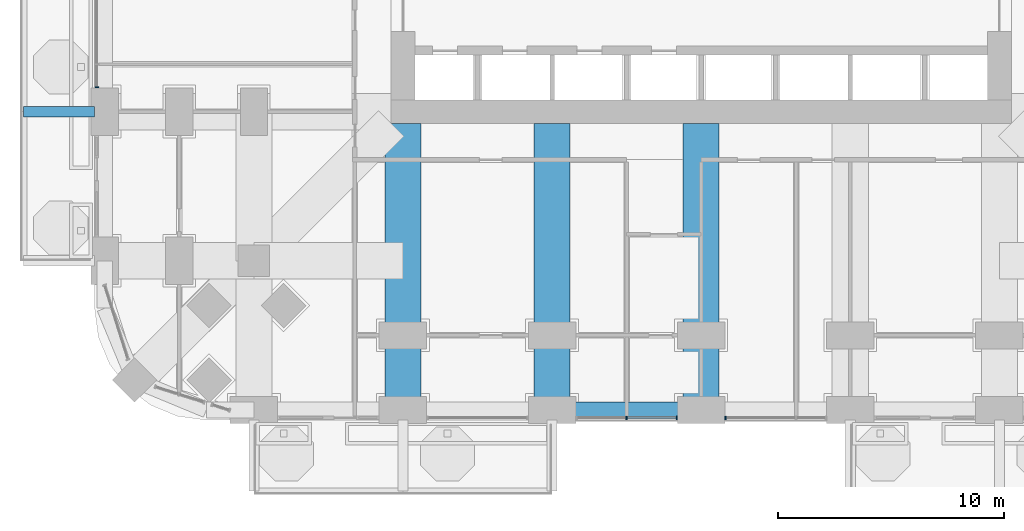
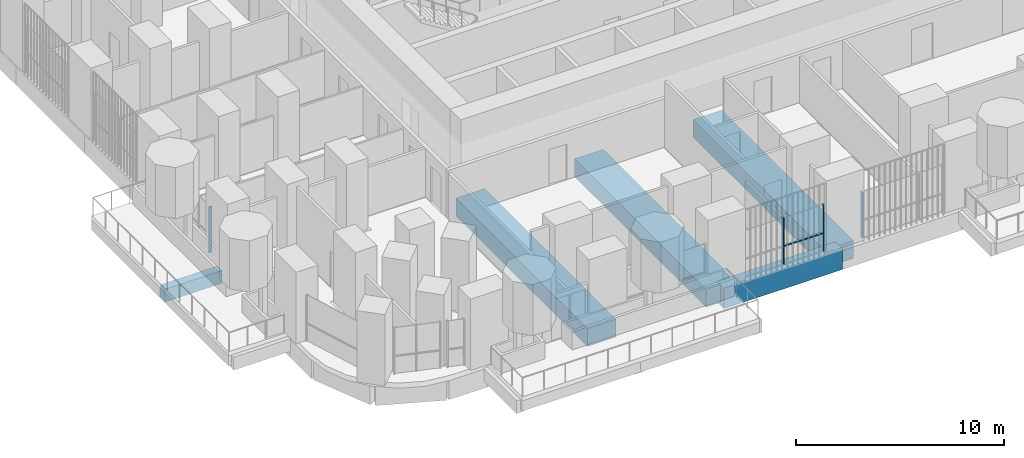
# One storey, part 3 of 27: 5 beams, 5 members, 3 elements without a shape of their own.
"""IFC4 building model written with IfcOpenShell, lengths in metres."""

from ifc_helpers import new_model, si_unit, direction, frame, origin, origin_2d, place, context, subcontext, project, spatial, rectangle, extrude, material, material_profile, profile_set, type_object, element, aggregate, save


model = new_model("IFC4")

# Units and contexts
model_context = context("Model", 3, precision=1e-05, world=origin(), true_north=direction((0.0, 1.0)))
body_context = subcontext(model_context, "Body", "Model", "MODEL_VIEW")
ifc_project = project(units=[si_unit("LENGTHUNIT", "METRE"), si_unit("AREAUNIT", "SQUARE_METRE"), si_unit("VOLUMEUNIT", "CUBIC_METRE"), si_unit("PLANEANGLEUNIT", "RADIAN"), si_unit("MASSUNIT", "GRAM", prefix="KILO")], contexts=[model_context])

# Site, building, storey
site_placement = place(None, origin())
site = spatial("IfcSite", under=ifc_project, at=site_placement, CompositionType="ELEMENT")
building_placement = place(site_placement, origin())
building = spatial("IfcBuilding", under=site, at=building_placement, Name="Cobogo Forest Laboratory Tower", CompositionType="ELEMENT")
storey_placement = place(building_placement, frame((0.0, 0.0, 54.89990234375)))
storey = spatial("IfcBuildingStorey", under=building, at=storey_placement, Name="L12", CompositionType="ELEMENT", Elevation=54.89990234375)

# Beams
ifc_material_1 = material(Name="Concrete HA-40 (C40/50)", Category="concrete")
ifc_material_profile_1 = material_profile(ifc_material_1, rectangle(XDim=0.449951171875, YDim=0.75, at=origin_2d()), Name="RC 450x750")
ifc_profile_set_1 = profile_set([ifc_material_profile_1], Name="Concrete HA-40 (C40/50)")
beam_type_1 = type_object("IfcBeamType", Name="Balcony cantilever beam 450x750", PredefinedType="BEAM", material=ifc_profile_set_1)
beam_1_placement = place(storey_placement, frame((-0.449951171875, 13.199951171875, -0.625), z_axis=(-1.0, 0.0, 0.0), x_axis=(0.0, -1.0, 0.0)))
element("IfcBeam", 1, at=beam_1_placement, inside=storey, type_object=beam_type_1, Name="CB1 BAL-W1-C2 L12", PredefinedType="BEAM", context=body_context, shape_type="SweptSolid", body=[
    extrude(rectangle(XDim=0.449951171875, YDim=0.75, at=origin_2d()), origin(), (0.0, 0.0, 1.0), 3.150146484375),
])
ifc_material_2 = material(Name="Concrete HA-50 (C50/60)", Category="concrete")
ifc_material_profile_2 = material_profile(ifc_material_2, rectangle(XDim=1.60009765625, YDim=1.050048828125, at=origin_2d()), Name="RC 1600x1050")
ifc_profile_set_2 = profile_set([ifc_material_profile_2], Name="Concrete HA-50 (C50/60)")
beam_type_2 = type_object("IfcBeamType", Name="Laboratory floor wide beam 1600x1050", PredefinedType="BEAM", material=ifc_profile_set_2)
for number, where, z_axis, x_axis, name in (
    (2, (13.199951171875, 12.675048828125, -0.824951171875), (0.0, -1.0, 0.0), (1.0, 0.0, 0.0), "RB8 R-3-S L12"),
    (3, (19.800048828125, 12.675048828125, -0.824951171875), (0.0, -1.0, 0.0), (1.0, 0.0, 0.0), "RB8 R-4-S L12"),
    (4, (26.39990234375, 12.675048828125, -0.824951171875), (0.0, -1.0, 0.0), (1.0, 0.0, 0.0), "RB8 R-5-S L12"),
):
    element("IfcBeam", number, at=place(storey_placement, frame(where, z_axis=z_axis, x_axis=x_axis)), inside=storey, type_object=beam_type_2, Name=name, PredefinedType="BEAM", context=body_context, shape_type="SweptSolid", body=[
        extrude(rectangle(XDim=1.60009765625, YDim=1.050048828125, at=origin_2d()), origin(), (0.0, 0.0, 1.0), 12.675048828125),
    ])

# Curtain wall, members
ifc_material_3 = material(Name="Aluminium curtain wall", Category="aluminium")
curtain_wall_type = type_object("IfcCurtainWallType", Name="CW-1 unitised curtain wall, clear glazing, laboratory floors zones A and B", PredefinedType="USERDEFINED", material=ifc_material_3)
curtain_wall_1_placement = place(storey_placement, origin())
curtain_wall_1 = element("IfcCurtainWall", 5, at=curtain_wall_1_placement, inside=storey, type_object=curtain_wall_type, Name="Curtain wall 03 L12", ObjectType="UNITISED CURTAIN WALL", PredefinedType="USERDEFINED")
ifc_material_4 = material(Name="Aluminium mullion", Category="aluminium")
ifc_material_profile_3 = material_profile(ifc_material_4, rectangle(XDim=0.06005859375, YDim=0.159912109375, at=origin_2d()), Name="AL 60x160")
ifc_profile_set_3 = profile_set([ifc_material_profile_3], Name="Aluminium mullion")
member_type_1 = type_object("IfcMemberType", Name="MU-1 aluminium mullion 60x160", PredefinedType="MULLION", material=ifc_profile_set_3)
member_1_placement = place(storey_placement, frame((23.10009765625, -0.35009765625, 0.0), z_axis=(0.0, 0.0, 1.0), x_axis=(1.0, 0.0, 0.0)))
member_1 = element("IfcMember", 6, at=member_1_placement, type_object=member_type_1, Name="CW-1 mullion 2", PredefinedType="MULLION", context=body_context, shape_type="SweptSolid", body=[
    extrude(rectangle(XDim=0.06005859375, YDim=0.159912109375, at=origin_2d()), origin(), (0.0, 0.0, 1.0), 2.7001953125),
])
member_2_placement = place(storey_placement, frame((25.320068359375, -0.35009765625, 0.0), z_axis=(0.0, 0.0, 1.0), x_axis=(1.0, 0.0, 0.0)))
member_2 = element("IfcMember", 7, at=member_2_placement, type_object=member_type_1, Name="CW-1 mullion 3", PredefinedType="MULLION", context=body_context, shape_type="SweptSolid", body=[
    extrude(rectangle(XDim=0.06005859375, YDim=0.159912109375, at=origin_2d()), origin(), (0.0, 0.0, 1.0), 2.7001953125),
])

# Curtain wall, member
curtain_wall_2_placement = place(storey_placement, origin())
curtain_wall_2 = element("IfcCurtainWall", 8, at=curtain_wall_2_placement, inside=storey, type_object=curtain_wall_type, Name="Curtain wall 04 L12", ObjectType="UNITISED CURTAIN WALL", PredefinedType="USERDEFINED")
member_3_placement = place(storey_placement, frame((27.47998046875, -0.35009765625, 0.0), z_axis=(0.0, 0.0, 1.0), x_axis=(1.0, 0.0, 0.0)))
member_3 = element("IfcMember", 9, at=member_3_placement, type_object=member_type_1, Name="CW-1 mullion 1", PredefinedType="MULLION", context=body_context, shape_type="SweptSolid", body=[
    extrude(rectangle(XDim=0.06005859375, YDim=0.159912109375, at=origin_2d()), origin(), (0.0, 0.0, 1.0), 2.7001953125),
])
aggregate(curtain_wall_2, [member_3])

curtain_wall_3_placement = place(storey_placement, origin())
curtain_wall_3 = element("IfcCurtainWall", 10, at=curtain_wall_3_placement, inside=storey, type_object=curtain_wall_type, Name="Curtain wall 30 L12", ObjectType="UNITISED CURTAIN WALL", PredefinedType="USERDEFINED")
member_4_placement = place(storey_placement, frame((-0.35009765625, 14.280029296875, 0.0), z_axis=(0.0, 0.0, 1.0), x_axis=(0.0, -1.0, 0.0)))
member_4 = element("IfcMember", 11, at=member_4_placement, type_object=member_type_1, Name="CW-1 mullion 3", PredefinedType="MULLION", context=body_context, shape_type="SweptSolid", body=[
    extrude(rectangle(XDim=0.06005859375, YDim=0.159912109375, at=origin_2d()), origin(), (0.0, 0.0, 1.0), 2.7001953125),
])
aggregate(curtain_wall_3, [member_4])

# Beam
ifc_material_profile_4 = material_profile(ifc_material_1, rectangle(XDim=0.699951171875, YDim=1.199951171875, at=origin_2d()), Name="RC 700x1200")
ifc_profile_set_4 = profile_set([ifc_material_profile_4], Name="Concrete HA-40 (C40/50)")
beam_type_3 = type_object("IfcBeamType", Name="Perimeter edge beam 700x1200", PredefinedType="BEAM", material=ifc_profile_set_4)
beam_2_placement = place(storey_placement, frame((19.800048828125, 0.0, -0.89990234375), z_axis=(1.0, 0.0, 0.0), x_axis=(0.0, 1.0, 0.0)))
element("IfcBeam", 12, at=beam_2_placement, inside=storey, type_object=beam_type_3, Name="EB1 E-S3 L12", PredefinedType="BEAM", context=body_context, shape_type="SweptSolid", body=[
    extrude(rectangle(XDim=0.699951171875, YDim=1.199951171875, at=origin_2d()), origin(), (0.0, 0.0, 1.0), 6.599853515625),
])

# Member
ifc_material_5 = material(Name="Aluminium transom", Category="aluminium")
ifc_material_profile_5 = material_profile(ifc_material_5, rectangle(XDim=0.1201171875, YDim=0.06005859375, at=origin_2d()), Name="AL 60x120")
ifc_profile_set_5 = profile_set([ifc_material_profile_5], Name="Aluminium transom")
member_type_2 = type_object("IfcMemberType", Name="TR-1 aluminium transom 60x120", PredefinedType="USERDEFINED", material=ifc_profile_set_5)
member_5_placement = place(storey_placement, frame((23.1298828125, -0.35009765625, 1.050048828125), z_axis=(1.0, 0.0, 0.0), x_axis=(0.0, 1.0, 0.0)))
member_5 = element("IfcMember", 13, at=member_5_placement, type_object=member_type_2, Name="CW-1 transom 2.1", ObjectType="TRANSOM", PredefinedType="USERDEFINED", context=body_context, shape_type="SweptSolid", body=[
    extrude(rectangle(XDim=0.1201171875, YDim=0.06005859375, at=origin_2d()), origin(), (0.0, 0.0, 1.0), 2.16015625),
])

aggregate(curtain_wall_1, [member_1, member_2, member_5])

save(model, "model.ifc")
